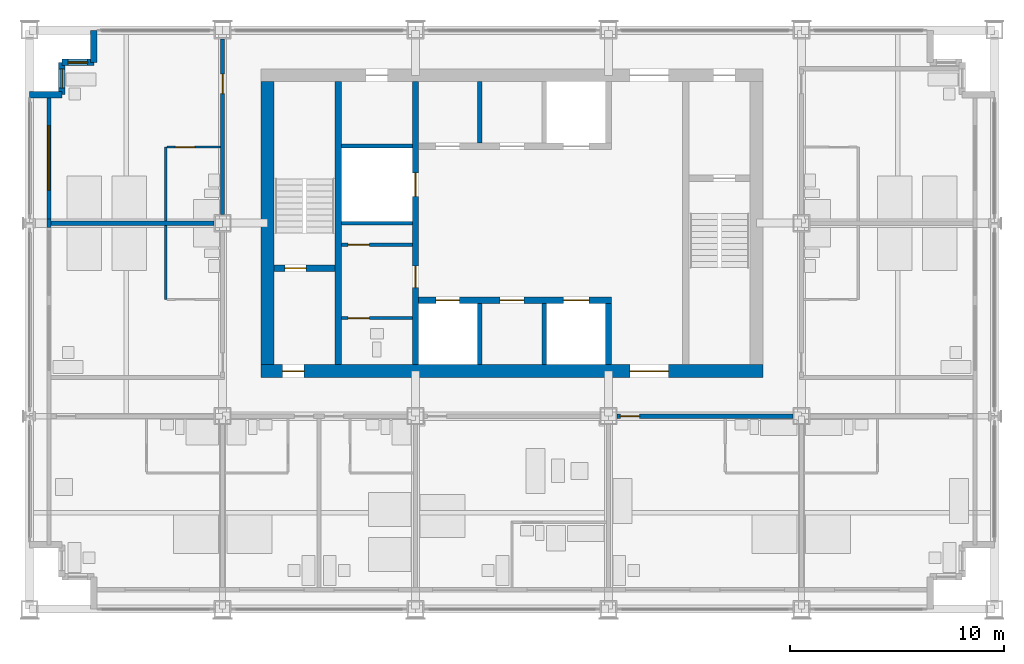
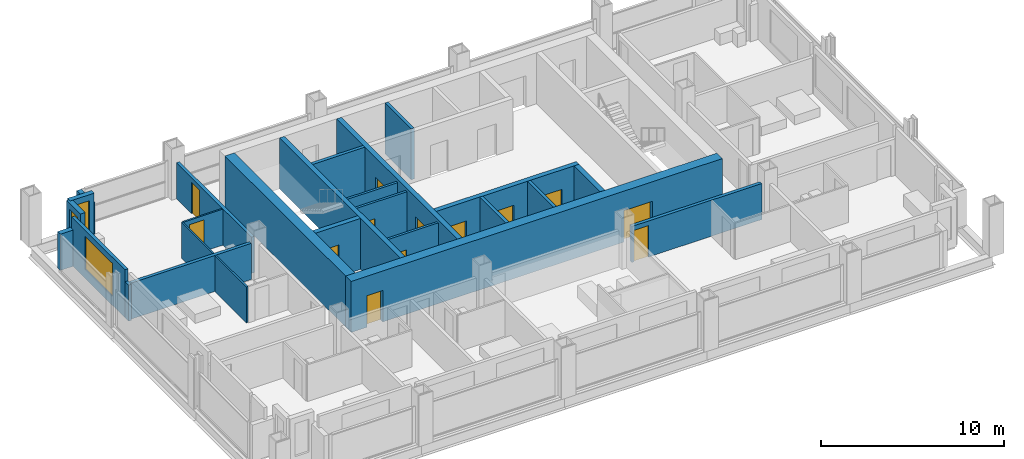
# One storey, part 8 of 13: 26 walls, 13 doors, 3 windows, 16 openings.
"""IFC4 building model written with IfcOpenShell, lengths in metres."""

from ifc_helpers import new_model, si_unit, direction, frame, frame_2d, origin, place, context, subcontext, project, spatial, rectangle, extrude, material, layer, layer_set, type_object, element, fill, save


model = new_model("IFC4")

# Units and contexts
model_context = context("Model", 3, precision=1e-05, world=origin(), true_north=direction((0.0, 1.0)))
body_context = subcontext(model_context, "Body", "Model", "MODEL_VIEW")
ifc_project = project(units=[si_unit("LENGTHUNIT", "METRE"), si_unit("AREAUNIT", "SQUARE_METRE"), si_unit("VOLUMEUNIT", "CUBIC_METRE"), si_unit("PLANEANGLEUNIT", "RADIAN"), si_unit("MASSUNIT", "GRAM", prefix="KILO")], contexts=[model_context])

# Site, building, storey
site_placement = place(None, origin())
site = spatial("IfcSite", under=ifc_project, at=site_placement, CompositionType="ELEMENT")
building_placement = place(site_placement, origin())
building = spatial("IfcBuilding", under=site, at=building_placement, Name="Loomwork Tower", CompositionType="ELEMENT")
storey_placement = place(building_placement, frame((0.0, 0.0, 187.60009765625)))
storey = spatial("IfcBuildingStorey", under=building, at=storey_placement, Name="L51", CompositionType="ELEMENT", Elevation=187.60009765625)

# Wall
ifc_material_1 = material(Name="Concrete 14000 psi (97 MPa)", Category="concrete")
ifc_layer_1 = layer(ifc_material_1, 0.300048828125)
ifc_layer_set_1 = layer_set([ifc_layer_1], Name="Core shear wall 300")
wall_type_1 = type_object("IfcWallType", Name="Core shear wall 300", PredefinedType="SHEAR", material=ifc_layer_set_1)
wall_1_placement = place(storey_placement, frame((14.39990234375, 11.39990234375, 0.0), z_axis=(0.0, 0.0, 1.0), x_axis=(0.0, 1.0, 0.0)))
element("IfcWall", 1, at=wall_1_placement, inside=storey, type_object=wall_type_1, Name="Stair A east wall L51", PredefinedType="SHEAR", context=body_context, shape_type="SweptSolid", body=[
    extrude(rectangle(XDim=13.2001953125, YDim=0.300048828125, at=frame_2d((6.60009765625, 0.0))), origin(), (0.0, 0.0, 1.0), 3.39990234375),
])

# Wall, opening, door
wall_2_placement = place(storey_placement, frame((11.39990234375, 15.89990234375, 0.0), z_axis=(0.0, 0.0, 1.0), x_axis=(1.0, 0.0, 0.0)))
wall_2 = element("IfcWall", 2, at=wall_2_placement, inside=storey, type_object=wall_type_1, Name="Stair A south wall L51", PredefinedType="SHEAR", context=body_context, shape_type="SweptSolid", body=[
    extrude(rectangle(XDim=2.85009765625, YDim=0.300048828125, at=frame_2d((1.425048828125, 0.0))), origin(), (0.0, 0.0, 1.0), 3.39990234375),
])
opening_1_placement = place(wall_2_placement, frame((0.5, 0.0, 0.0)))
opening_1 = element("IfcOpeningElement", 3, at=opening_1_placement, cuts=wall_2, Name="Opening D4", PredefinedType="OPENING", context=body_context, shape_type="SweptSolid", body=[
    extrude(rectangle(XDim=1.0, YDim=2.10009765625, at=frame_2d((0.5, 1.050048828125))), frame((0.0, 0.159912109375, 0.0), z_axis=(0.0, -1.0, 0.0), x_axis=(1.0, 0.0, 0.0)), (0.0, 0.0, 1.0), 0.320068359375),
])
ifc_material_2 = material(Name="Hollow metal door and frame")
door_type_1 = type_object("IfcDoorType", Name="Stair door 1000", OperationType="SINGLE_SWING_RIGHT", PredefinedType="DOOR", material=ifc_material_2)
door_1_placement = place(opening_1_placement, origin())
door_1 = element("IfcDoor", 4, at=door_1_placement, inside=storey, type_object=door_type_1, Name="Stair A door", OperationType="SINGLE_SWING_LEFT", OverallHeight=2.10009765625, OverallWidth=1.0, PredefinedType="DOOR", context=body_context, shape_type="SweptSolid", body=[
    extrude(rectangle(XDim=1.0, YDim=2.10009765625, at=frame_2d((0.5, 1.050048828125))), frame((0.0, 0.02490234375, 0.0), z_axis=(0.0, -1.0, 0.0), x_axis=(1.0, 0.0, 0.0)), (0.0, 0.0, 1.0), 0.050048828125),
])
fill(opening_1, door_1)

# Wall, openings, doors
wall_3_placement = place(storey_placement, frame((18.0, 11.39990234375, 0.0), z_axis=(0.0, 0.0, 1.0), x_axis=(0.0, 1.0, 0.0)))
wall_3 = element("IfcWall", 5, at=wall_3_placement, inside=storey, type_object=wall_type_1, Name="Lobby west wall L51", PredefinedType="SHEAR", context=body_context, shape_type="SweptSolid", body=[
    extrude(rectangle(XDim=13.2001953125, YDim=0.300048828125, at=frame_2d((6.60009765625, 0.0))), origin(), (0.0, 0.0, 1.0), 3.39990234375),
])
opening_2_placement = place(wall_3_placement, frame((3.60009765625, 0.0, 0.0)))
opening_2 = element("IfcOpeningElement", 6, at=opening_2_placement, cuts=wall_3, Name="Opening D5", PredefinedType="OPENING", context=body_context, shape_type="SweptSolid", body=[
    extrude(rectangle(XDim=1.0, YDim=2.10009765625, at=frame_2d((0.5, 1.050048828125))), frame((0.0, 0.159912109375, 0.0), z_axis=(0.0, -1.0, 0.0), x_axis=(1.0, 0.0, 0.0)), (0.0, 0.0, 1.0), 0.320068359375),
])
opening_3_placement = place(wall_3_placement, frame((7.85009765625, 0.0, 0.0)))
opening_3 = element("IfcOpeningElement", 7, at=opening_3_placement, cuts=wall_3, Name="Opening LD1", PredefinedType="OPENING", context=body_context, shape_type="SweptSolid", body=[
    extrude(rectangle(XDim=1.10009765625, YDim=2.10009765625, at=frame_2d((0.550048828125, 1.050048828125))), frame((0.0, 0.159912109375, 0.0), z_axis=(0.0, -1.0, 0.0), x_axis=(1.0, 0.0, 0.0)), (0.0, 0.0, 1.0), 0.320068359375),
])
ifc_material_3 = material(Name="Hollow metal door and frame")
door_type_2 = type_object("IfcDoorType", Name="Lift landing door 1100", OperationType="SLIDING_TO_LEFT", PredefinedType="DOOR", material=ifc_material_3)
door_2_placement = place(opening_3_placement, origin())
door_2 = element("IfcDoor", 8, at=door_2_placement, inside=storey, type_object=door_type_2, Name="Lift landing door LC2", OperationType="SLIDING_TO_LEFT", OverallHeight=2.10009765625, OverallWidth=1.10009765625, PredefinedType="DOOR", context=body_context, shape_type="SweptSolid", body=[
    extrude(rectangle(XDim=1.10009765625, YDim=2.10009765625, at=frame_2d((0.550048828125, 1.050048828125))), frame((0.0, 0.02490234375, 0.0), z_axis=(0.0, -1.0, 0.0), x_axis=(1.0, 0.0, 0.0)), (0.0, 0.0, 1.0), 0.050048828125),
])
fill(opening_3, door_2)
ifc_material_4 = material(Name="Hollow metal door and frame")
door_type_3 = type_object("IfcDoorType", Name="Service door 1000", OperationType="SINGLE_SWING_LEFT", PredefinedType="DOOR", material=ifc_material_4)
door_3_placement = place(opening_2_placement, origin())
door_3 = element("IfcDoor", 9, at=door_3_placement, inside=storey, type_object=door_type_3, Name="Back-of-house door south", OperationType="SINGLE_SWING_LEFT", OverallHeight=2.10009765625, OverallWidth=1.0, PredefinedType="DOOR", context=body_context, shape_type="SweptSolid", body=[
    extrude(rectangle(XDim=1.0, YDim=2.10009765625, at=frame_2d((0.5, 1.050048828125))), frame((0.0, 0.02490234375, 0.0), z_axis=(0.0, -1.0, 0.0), x_axis=(1.0, 0.0, 0.0)), (0.0, 0.0, 1.0), 0.050048828125),
])
fill(opening_2, door_3)

wall_4_placement = place(storey_placement, frame((18.14990234375, 14.39990234375, 0.0), z_axis=(0.0, 0.0, 1.0), x_axis=(1.0, 0.0, 0.0)))
wall_4 = element("IfcWall", 10, at=wall_4_placement, inside=storey, type_object=wall_type_1, Name="Lift front wall south L51", PredefinedType="SHEAR", context=body_context, shape_type="SweptSolid", body=[
    extrude(rectangle(XDim=9.0, YDim=0.300048828125, at=frame_2d((4.5, 0.0))), origin(), (0.0, 0.0, 1.0), 3.39990234375),
])
opening_4_placement = place(wall_4_placement, frame((0.800048828125, 0.0, 0.0)))
opening_4 = element("IfcOpeningElement", 11, at=opening_4_placement, cuts=wall_4, Name="Opening LD1", PredefinedType="OPENING", context=body_context, shape_type="SweptSolid", body=[
    extrude(rectangle(XDim=1.10009765625, YDim=2.10009765625, at=frame_2d((0.550048828125, 1.050048828125))), frame((0.0, 0.159912109375, 0.0), z_axis=(0.0, -1.0, 0.0), x_axis=(1.0, 0.0, 0.0)), (0.0, 0.0, 1.0), 0.320068359375),
])
opening_5_placement = place(wall_4_placement, frame((6.75, 0.0, 0.0)))
opening_5 = element("IfcOpeningElement", 12, at=opening_5_placement, cuts=wall_4, Name="Opening LD2", PredefinedType="OPENING", context=body_context, shape_type="SweptSolid", body=[
    extrude(rectangle(XDim=1.199951171875, YDim=2.10009765625, at=frame_2d((0.60009765625, 1.050048828125))), frame((0.0, 0.159912109375, 0.0), z_axis=(0.0, -1.0, 0.0), x_axis=(1.0, 0.0, 0.0)), (0.0, 0.0, 1.0), 0.320068359375),
])
opening_6_placement = place(wall_4_placement, frame((3.800048828125, 0.0, 0.0)))
opening_6 = element("IfcOpeningElement", 13, at=opening_6_placement, cuts=wall_4, Name="Opening D17", PredefinedType="OPENING", context=body_context, shape_type="SweptSolid", body=[
    extrude(rectangle(XDim=1.10009765625, YDim=2.10009765625, at=frame_2d((0.550048828125, 1.050048828125))), frame((0.0, 0.159912109375, 0.0), z_axis=(0.0, -1.0, 0.0), x_axis=(1.0, 0.0, 0.0)), (0.0, 0.0, 1.0), 0.320068359375),
])
door_4_placement = place(opening_4_placement, origin())
door_4 = element("IfcDoor", 14, at=door_4_placement, inside=storey, type_object=door_type_2, Name="Lift landing door LC1", OperationType="SLIDING_TO_LEFT", OverallHeight=2.10009765625, OverallWidth=1.10009765625, PredefinedType="DOOR", context=body_context, shape_type="SweptSolid", body=[
    extrude(rectangle(XDim=1.10009765625, YDim=2.10009765625, at=frame_2d((0.550048828125, 1.050048828125))), frame((0.0, 0.02490234375, 0.0), z_axis=(0.0, -1.0, 0.0), x_axis=(1.0, 0.0, 0.0)), (0.0, 0.0, 1.0), 0.050048828125),
])
fill(opening_4, door_4)
ifc_material_5 = material(Name="Hollow metal door and frame")
door_type_4 = type_object("IfcDoorType", Name="Lift landing door 1200", OperationType="SLIDING_TO_LEFT", PredefinedType="DOOR", material=ifc_material_5)
door_5_placement = place(opening_5_placement, origin())
door_5 = element("IfcDoor", 15, at=door_5_placement, inside=storey, type_object=door_type_4, Name="Lift landing door LF1", OperationType="SLIDING_TO_LEFT", OverallHeight=2.10009765625, OverallWidth=1.199951171875, PredefinedType="DOOR", context=body_context, shape_type="SweptSolid", body=[
    extrude(rectangle(XDim=1.199951171875, YDim=2.10009765625, at=frame_2d((0.60009765625, 1.050048828125))), frame((0.0, 0.02490234375, 0.0), z_axis=(0.0, -1.0, 0.0), x_axis=(1.0, 0.0, 0.0)), (0.0, 0.0, 1.0), 0.050048828125),
])
fill(opening_5, door_5)
ifc_material_6 = material(Name="Hollow metal door and frame")
door_type_5 = type_object("IfcDoorType", Name="Service room door 1100", OperationType="SINGLE_SWING_LEFT", PredefinedType="DOOR", material=ifc_material_6)
door_6_placement = place(opening_6_placement, frame((1.10009765625, 0.0, 0.0), z_axis=(0.0, 0.0, 1.0), x_axis=(-1.0, 0.0, 0.0)))
door_6 = element("IfcDoor", 16, at=door_6_placement, inside=storey, type_object=door_type_5, Name="IT and communications room door L51", OperationType="SINGLE_SWING_RIGHT", OverallHeight=2.10009765625, OverallWidth=1.10009765625, PredefinedType="DOOR", context=body_context, shape_type="SweptSolid", body=[
    extrude(rectangle(XDim=1.10009765625, YDim=2.10009765625, at=frame_2d((0.550048828125, 1.050048828125))), frame((0.0, 0.02490234375, 0.0), z_axis=(0.0, -1.0, 0.0), x_axis=(1.0, 0.0, 0.0)), (0.0, 0.0, 1.0), 0.050048828125),
])
fill(opening_6, door_6)

# Wall
wall_5_placement = place(storey_placement, frame((27.0, 11.39990234375, 0.0), z_axis=(0.0, 0.0, 1.0), x_axis=(0.0, 1.0, 0.0)))
element("IfcWall", 17, at=wall_5_placement, inside=storey, type_object=wall_type_1, Name="Lift shaft end wall south L51", PredefinedType="SHEAR", context=body_context, shape_type="SweptSolid", body=[
    extrude(rectangle(XDim=2.85009765625, YDim=0.300048828125, at=frame_2d((1.425048828125, 0.0))), origin(), (0.0, 0.0, 1.0), 3.39990234375),
])

# Wall, openings, doors
ifc_material_7 = material(Name="Concrete 14000 psi (97 MPa)", Category="concrete")
ifc_layer_2 = layer(ifc_material_7, 0.60009765625)
ifc_layer_set_2 = layer_set([ifc_layer_2], Name="Core shear wall 600")
wall_type_2 = type_object("IfcWallType", Name="Core shear wall 600", PredefinedType="SHEAR", material=ifc_layer_set_2)
wall_6_placement = place(storey_placement, frame((10.800048828125, 11.10009765625, 0.0), z_axis=(0.0, 0.0, 1.0), x_axis=(1.0, 0.0, 0.0)))
wall_6 = element("IfcWall", 18, at=wall_6_placement, inside=storey, type_object=wall_type_2, Name="Core wall south L51", PredefinedType="SHEAR", context=body_context, shape_type="SweptSolid", body=[
    extrude(rectangle(XDim=23.39990234375, YDim=0.60009765625, at=frame_2d((11.699951171875, 0.0))), origin(), (0.0, 0.0, 1.0), 3.39990234375),
])
opening_7_placement = place(wall_6_placement, frame((1.0, 0.0, 0.0)))
opening_7 = element("IfcOpeningElement", 19, at=opening_7_placement, cuts=wall_6, Name="Opening D4", PredefinedType="OPENING", context=body_context, shape_type="SweptSolid", body=[
    extrude(rectangle(XDim=1.0, YDim=2.10009765625, at=frame_2d((0.5, 1.050048828125))), frame((0.0, 0.31005859375, 0.0), z_axis=(0.0, -1.0, 0.0), x_axis=(1.0, 0.0, 0.0)), (0.0, 0.0, 1.0), 0.6201171875),
])
opening_8_placement = place(wall_6_placement, frame((17.199951171875, 0.0, 0.0)))
opening_8 = element("IfcOpeningElement", 20, at=opening_8_placement, cuts=wall_6, Name="Opening D6", PredefinedType="OPENING", context=body_context, shape_type="SweptSolid", body=[
    extrude(rectangle(XDim=1.800048828125, YDim=2.10009765625, at=frame_2d((0.89990234375, 1.050048828125))), frame((0.0, 0.31005859375, 0.0), z_axis=(0.0, -1.0, 0.0), x_axis=(1.0, 0.0, 0.0)), (0.0, 0.0, 1.0), 0.6201171875),
])
ifc_material_8 = material(Name="Hollow metal door and frame")
door_type_6 = type_object("IfcDoorType", Name="Lobby passage double door 1800", OperationType="DOUBLE_DOOR_SINGLE_SWING", PredefinedType="DOOR", material=ifc_material_8)
door_7_placement = place(opening_8_placement, origin())
door_7 = element("IfcDoor", 21, at=door_7_placement, inside=storey, type_object=door_type_6, Name="Lobby passage door south", OperationType="DOUBLE_DOOR_SINGLE_SWING", OverallHeight=2.10009765625, OverallWidth=1.800048828125, PredefinedType="DOOR", context=body_context, shape_type="SweptSolid", body=[
    extrude(rectangle(XDim=1.800048828125, YDim=2.10009765625, at=frame_2d((0.89990234375, 1.050048828125))), frame((0.0, 0.02490234375, 0.0), z_axis=(0.0, -1.0, 0.0), x_axis=(1.0, 0.0, 0.0)), (0.0, 0.0, 1.0), 0.050048828125),
])
fill(opening_8, door_7)
door_8_placement = place(opening_7_placement, origin())
door_8 = element("IfcDoor", 22, at=door_8_placement, inside=storey, type_object=door_type_1, Name="Stair A vestibule door", OperationType="SINGLE_SWING_LEFT", OverallHeight=2.10009765625, OverallWidth=1.0, PredefinedType="DOOR", context=body_context, shape_type="SweptSolid", body=[
    extrude(rectangle(XDim=1.0, YDim=2.10009765625, at=frame_2d((0.5, 1.050048828125))), frame((0.0, 0.02490234375, 0.0), z_axis=(0.0, -1.0, 0.0), x_axis=(1.0, 0.0, 0.0)), (0.0, 0.0, 1.0), 0.050048828125),
])
fill(opening_7, door_8)

# Wall
wall_7_placement = place(storey_placement, frame((11.10009765625, 11.39990234375, 0.0), z_axis=(0.0, 0.0, 1.0), x_axis=(0.0, 1.0, 0.0)))
element("IfcWall", 23, at=wall_7_placement, inside=storey, type_object=wall_type_2, Name="Core wall west L51", PredefinedType="SHEAR", context=body_context, shape_type="SweptSolid", body=[
    extrude(rectangle(XDim=13.2001953125, YDim=0.60009765625, at=frame_2d((6.60009765625, 0.0))), origin(), (0.0, 0.0, 1.0), 3.39990234375),
])

# Wall, opening, door
ifc_material_9 = material(Name="Gypsum board on steel studs, one-hour", Category="steel")
ifc_layer_3 = layer(ifc_material_9, 0.199951171875)
ifc_layer_set_3 = layer_set([ifc_layer_3], Name="Corridor wall 200")
wall_type_3 = type_object("IfcWallType", Name="Corridor wall 200", PredefinedType="PARTITIONING", material=ifc_layer_set_3)
wall_8_placement = place(storey_placement, frame((27.39990234375, 9.0, 0.0), z_axis=(0.0, 0.0, 1.0), x_axis=(1.0, 0.0, 0.0)))
wall_8 = element("IfcWall", 24, at=wall_8_placement, inside=storey, type_object=wall_type_3, Name="South corridor wall 4", PredefinedType="PARTITIONING", context=body_context, shape_type="SweptSolid", body=[
    extrude(rectangle(XDim=8.2001953125, YDim=0.199951171875, at=frame_2d((4.10009765625, 0.0))), origin(), (0.0, 0.0, 1.0), 2.40478515625),
])
opening_9_placement = place(wall_8_placement, frame((0.14990234375, 0.0, 0.0)))
opening_9 = element("IfcOpeningElement", 25, at=opening_9_placement, cuts=wall_8, Name="Opening D1", PredefinedType="OPENING", context=body_context, shape_type="SweptSolid", body=[
    extrude(rectangle(XDim=0.89990234375, YDim=2.10009765625, at=frame_2d((0.449951171875, 1.050048828125))), frame((0.0, 0.10986328125, 0.0), z_axis=(0.0, -1.0, 0.0), x_axis=(1.0, 0.0, 0.0)), (0.0, 0.0, 1.0), 0.219970703125),
])
ifc_material_10 = material(Name="Hollow metal door and frame")
door_type_7 = type_object("IfcDoorType", Name="Guest room entry door 900", OperationType="SINGLE_SWING_LEFT", PredefinedType="DOOR", material=ifc_material_10)
door_9_placement = place(opening_9_placement, frame((0.89990234375, 0.0, 0.0), z_axis=(0.0, 0.0, 1.0), x_axis=(-1.0, 0.0, 0.0)))
door_9 = element("IfcDoor", 26, at=door_9_placement, inside=storey, type_object=door_type_7, Name="Guest room entry door L51 5", OperationType="SINGLE_SWING_RIGHT", OverallHeight=2.10009765625, OverallWidth=0.89990234375, PredefinedType="DOOR", context=body_context, shape_type="SweptSolid", body=[
    extrude(rectangle(XDim=0.89990234375, YDim=2.10009765625, at=frame_2d((0.449951171875, 1.050048828125))), frame((0.0, 0.02490234375, 0.0), z_axis=(0.0, -1.0, 0.0), x_axis=(1.0, 0.0, 0.0)), (0.0, 0.0, 1.0), 0.050048828125),
])
fill(opening_9, door_9)

wall_9_placement = place(storey_placement, frame((9.0, 18.39990234375, 0.0), z_axis=(0.0, 0.0, 1.0), x_axis=(0.0, 1.0, 0.0)))
wall_9 = element("IfcWall", 27, at=wall_9_placement, inside=storey, type_object=wall_type_3, Name="West corridor wall 2", PredefinedType="PARTITIONING", context=body_context, shape_type="SweptSolid", body=[
    extrude(rectangle(XDim=8.2001953125, YDim=0.199951171875, at=frame_2d((4.10009765625, 0.0))), origin(), (0.0, 0.0, 1.0), 2.40478515625),
])
opening_10_placement = place(wall_9_placement, frame((5.64990234375, 0.0, 0.0)))
opening_10 = element("IfcOpeningElement", 28, at=opening_10_placement, cuts=wall_9, Name="Opening D1", PredefinedType="OPENING", context=body_context, shape_type="SweptSolid", body=[
    extrude(rectangle(XDim=0.89990234375, YDim=2.10009765625, at=frame_2d((0.449951171875, 1.050048828125))), frame((0.0, 0.10986328125, 0.0), z_axis=(0.0, -1.0, 0.0), x_axis=(1.0, 0.0, 0.0)), (0.0, 0.0, 1.0), 0.219970703125),
])
door_10_placement = place(opening_10_placement, origin())
door_10 = element("IfcDoor", 29, at=door_10_placement, inside=storey, type_object=door_type_7, Name="Guest room entry door L51 8", OperationType="SINGLE_SWING_RIGHT", OverallHeight=2.10009765625, OverallWidth=0.89990234375, PredefinedType="DOOR", context=body_context, shape_type="SweptSolid", body=[
    extrude(rectangle(XDim=0.89990234375, YDim=2.10009765625, at=frame_2d((0.449951171875, 1.050048828125))), frame((0.0, 0.02490234375, 0.0), z_axis=(0.0, -1.0, 0.0), x_axis=(1.0, 0.0, 0.0)), (0.0, 0.0, 1.0), 0.050048828125),
])
fill(opening_10, door_10)

# Walls
ifc_material_11 = material(Name="Cement board on steel studs", Category="steel")
ifc_layer_4 = layer(ifc_material_11, 0.10009765625)
ifc_layer_set_4 = layer_set([ifc_layer_4], Name="En-suite partition 100")
wall_type_4 = type_object("IfcWallType", Name="En-suite partition 100", PredefinedType="PARTITIONING", material=ifc_layer_set_4)
for number, where, z_axis, x_axis, name in (
    (30, (6.35009765625, 14.449951171875, 0.0), (0.0, 0.0, 1.0), (0.0, 1.0, 0.0), "En-suite wall L51 room 7"),
    (31, (6.35009765625, 18.10009765625, 0.0), (0.0, 0.0, 1.0), (0.0, 1.0, 0.0), "En-suite wall L51 room 8"),
):
    element("IfcWall", number, at=place(storey_placement, frame(where, z_axis=z_axis, x_axis=x_axis)), inside=storey, type_object=wall_type_4, Name=name, PredefinedType="PARTITIONING", context=body_context, shape_type="SweptSolid", body=[
        extrude(rectangle(XDim=3.449951171875, YDim=0.10009765625, at=frame_2d((1.72509765625, 0.0))), origin(), (0.0, 0.0, 1.0), 2.40380859375),
    ])

# Wall, opening, door
wall_10_placement = place(storey_placement, frame((8.89990234375, 21.550048828125, 0.0), z_axis=(0.0, 0.0, 1.0), x_axis=(-1.0, 0.0, 0.0)))
wall_10 = element("IfcWall", 32, at=wall_10_placement, inside=storey, type_object=wall_type_4, Name="En-suite side wall L51 room 8", PredefinedType="PARTITIONING", context=body_context, shape_type="SweptSolid", body=[
    extrude(rectangle(XDim=2.5, YDim=0.10009765625, at=frame_2d((1.25, 0.0))), origin(), (0.0, 0.0, 1.0), 2.40380859375),
])
opening_11_placement = place(wall_10_placement, frame((1.199951171875, 0.0, 0.0)))
opening_11 = element("IfcOpeningElement", 33, at=opening_11_placement, cuts=wall_10, Name="Opening D2", PredefinedType="OPENING", context=body_context, shape_type="SweptSolid", body=[
    extrude(rectangle(XDim=0.89990234375, YDim=2.10009765625, at=frame_2d((0.449951171875, 1.050048828125))), frame((0.0, 0.06005859375, 0.0), z_axis=(0.0, -1.0, 0.0), x_axis=(1.0, 0.0, 0.0)), (0.0, 0.0, 1.0), 0.1201171875),
])
ifc_material_12 = material(Name="Hollow metal door and frame")
door_type_8 = type_object("IfcDoorType", Name="En-suite door 900", OperationType="SINGLE_SWING_LEFT", PredefinedType="DOOR", material=ifc_material_12)
door_11_placement = place(opening_11_placement, origin())
door_11 = element("IfcDoor", 34, at=door_11_placement, inside=storey, type_object=door_type_8, Name="En-suite door room 8", OperationType="SINGLE_SWING_RIGHT", OverallHeight=2.10009765625, OverallWidth=0.89990234375, PredefinedType="DOOR", context=body_context, shape_type="SweptSolid", body=[
    extrude(rectangle(XDim=0.89990234375, YDim=2.10009765625, at=frame_2d((0.449951171875, 1.050048828125))), frame((0.0, 0.02490234375, 0.0), z_axis=(0.0, -1.0, 0.0), x_axis=(1.0, 0.0, 0.0)), (0.0, 0.0, 1.0), 0.050048828125),
])
fill(opening_11, door_11)

# Walls
ifc_material_13 = material(Name="Gypsum board on steel studs, acoustic", Category="steel")
ifc_layer_5 = layer(ifc_material_13, 0.199951171875)
ifc_layer_set_5 = layer_set([ifc_layer_5], Name="Guest room party wall 200")
wall_type_5 = type_object("IfcWallType", Name="Guest room party wall 200", PredefinedType="PARTITIONING", material=ifc_layer_set_5)
wall_11_placement = place(storey_placement, frame((8.60009765625, 18.0, 0.0), z_axis=(0.0, 0.0, 1.0), x_axis=(-1.0, 0.0, 0.0)))
element("IfcWall", 35, at=wall_11_placement, inside=storey, type_object=wall_type_5, Name="Guest room party wall W 18", PredefinedType="PARTITIONING", context=body_context, shape_type="SweptSolid", body=[
    extrude(rectangle(XDim=7.60009765625, YDim=0.199951171875, at=frame_2d((3.800048828125, 0.0))), origin(), (0.0, 0.0, 1.0), 2.40478515625),
])
ifc_material_14 = material(Name="Insulated steel stud wall with gypsum lining", Category="steel")
ifc_layer_6 = layer(ifc_material_14, 0.199951171875)
ifc_layer_set_6 = layer_set([ifc_layer_6], Name="Inner skin wall 200")
wall_type_6 = type_object("IfcWallType", Name="Inner skin wall 200", PredefinedType="SOLIDWALL", material=ifc_layer_set_6)
wall_12_placement = place(storey_placement, frame((0.89990234375, 17.80615234375, 0.0), z_axis=(0.0, 0.0, 1.0), x_axis=(0.0, 1.0, 0.0)))
element("IfcWall", 36, at=wall_12_placement, inside=storey, type_object=wall_type_6, Name="Inner skin wall W bay 6", PredefinedType="SOLIDWALL", context=body_context, shape_type="SweptSolid", body=[
    extrude(rectangle(XDim=0.3876953125, YDim=0.199951171875, at=frame_2d((0.19384765625, 0.0))), origin(), (0.0, 0.0, 1.0), 2.40380859375),
])

# Wall, opening, window
wall_13_placement = place(storey_placement, frame((0.89990234375, 18.19384765625, 0.0), z_axis=(0.0, 0.0, 1.0), x_axis=(0.0, 1.0, 0.0)))
wall_13 = element("IfcWall", 37, at=wall_13_placement, inside=storey, type_object=wall_type_6, Name="Inner skin wall W bay 7", PredefinedType="SOLIDWALL", context=body_context, shape_type="SweptSolid", body=[
    extrude(rectangle(XDim=5.80615234375, YDim=0.199951171875, at=frame_2d((2.903076171875, 0.0))), origin(), (0.0, 0.0, 1.0), 3.199951171875),
])
opening_12_placement = place(wall_13_placement, frame((1.356201171875, 0.0, 0.60009765625)))
opening_12 = element("IfcOpeningElement", 38, at=opening_12_placement, cuts=wall_13, Name="Opening CH1", PredefinedType="OPENING", context=body_context, shape_type="SweptSolid", body=[
    extrude(rectangle(XDim=3.0, YDim=2.199951171875, at=frame_2d((1.5, 1.10009765625))), frame((0.0, 0.10986328125, 0.0), z_axis=(0.0, -1.0, 0.0), x_axis=(1.0, 0.0, 0.0)), (0.0, 0.0, 1.0), 0.219970703125),
])
ifc_material_15 = material(Name="Aluminium frame with clear insulated glass", Category="aluminium")
window_type_1 = type_object("IfcWindowType", Name="Chicago window 3000", PartitioningType="TRIPLE_PANEL_VERTICAL", PredefinedType="WINDOW", material=ifc_material_15)
window_1_placement = place(opening_12_placement, origin())
window_1 = element("IfcWindow", 39, at=window_1_placement, inside=storey, type_object=window_type_1, Name="Chicago window L51 bay 7", OverallHeight=2.199951171875, OverallWidth=3.0, PartitioningType="TRIPLE_PANEL_VERTICAL", PredefinedType="WINDOW", context=body_context, shape_type="SweptSolid", body=[
    extrude(rectangle(XDim=3.0, YDim=2.199951171875, at=frame_2d((1.5, 1.10009765625))), frame((0.0, 0.030029296875, 0.0), z_axis=(0.0, -1.0, 0.0), x_axis=(1.0, 0.0, 0.0)), (0.0, 0.0, 1.0), 0.06005859375),
])
fill(opening_12, window_1)

# Walls
ifc_material_16 = material(Name="Concrete 14000 psi (97 MPa)", Category="concrete")
ifc_layer_7 = layer(ifc_material_16, 0.199951171875)
ifc_layer_set_7 = layer_set([ifc_layer_7], Name="Lift shaft wall 200")
wall_type_7 = type_object("IfcWallType", Name="Lift shaft wall 200", PredefinedType="SHEAR", material=ifc_layer_set_7)
for number, where, z_axis, x_axis, name in (
    (40, (21.0, 11.39990234375, 0.0), (0.0, 0.0, 1.0), (0.0, 1.0, 0.0), "Lift shaft separation wall south 1 L51"),
    (41, (24.0, 11.39990234375, 0.0), (0.0, 0.0, 1.0), (0.0, 1.0, 0.0), "Lift shaft separation wall south 2 L51"),
    (42, (21.0, 21.75, 0.0), (0.0, 0.0, 1.0), (0.0, 1.0, 0.0), "Lift shaft separation wall north 1 L51"),
):
    element("IfcWall", number, at=place(storey_placement, frame(where, z_axis=z_axis, x_axis=x_axis)), inside=storey, type_object=wall_type_7, Name=name, PredefinedType="SHEAR", context=body_context, shape_type="SweptSolid", body=[
        extrude(rectangle(XDim=2.85009765625, YDim=0.199951171875, at=frame_2d((1.425048828125, 0.0))), origin(), (0.0, 0.0, 1.0), 3.39990234375),
    ])
wall_14_placement = place(storey_placement, frame((14.550048828125, 21.60009765625, 0.0), z_axis=(0.0, 0.0, 1.0), x_axis=(1.0, 0.0, 0.0)))
element("IfcWall", 43, at=wall_14_placement, inside=storey, type_object=wall_type_7, Name="Lift shaft wall west north L51", PredefinedType="SHEAR", context=body_context, shape_type="SweptSolid", body=[
    extrude(rectangle(XDim=3.300048828125, YDim=0.199951171875, at=frame_2d((1.64990234375, 0.0))), origin(), (0.0, 0.0, 1.0), 3.39990234375),
])
ifc_material_17 = material(Name="Limestone on concrete masonry", Category="masonry")
ifc_layer_8 = layer(ifc_material_17, 0.300048828125)
ifc_layer_set_8 = layer_set([ifc_layer_8], Name="Limestone corner wall 300")
wall_type_8 = type_object("IfcWallType", Name="Limestone corner wall 300", PredefinedType="SOLIDWALL", material=ifc_layer_set_8)
wall_15_placement = place(storey_placement, frame((3.0, 27.0, 0.0), z_axis=(0.0, 0.0, 1.0), x_axis=(0.0, -1.0, 0.0)))
element("IfcWall", 44, at=wall_15_placement, inside=storey, type_object=wall_type_8, Name="Stone corner wall NW 1", PredefinedType="SOLIDWALL", context=body_context, shape_type="SweptSolid", body=[
    extrude(rectangle(XDim=1.5, YDim=0.300048828125, at=frame_2d((0.75, 0.0))), origin(), (0.0, 0.0, 1.0), 2.419921875),
])

# Wall, opening, window
wall_16_placement = place(storey_placement, frame((3.0, 25.5, 0.0), z_axis=(0.0, 0.0, 1.0), x_axis=(-1.0, 0.0, 0.0)))
wall_16 = element("IfcWall", 45, at=wall_16_placement, inside=storey, type_object=wall_type_8, Name="Stone corner wall NW 2", PredefinedType="SOLIDWALL", context=body_context, shape_type="SweptSolid", body=[
    extrude(rectangle(XDim=1.5, YDim=0.300048828125, at=frame_2d((0.75, 0.0))), origin(), (0.0, 0.0, 1.0), 3.199951171875),
])
opening_13_placement = place(wall_16_placement, frame((0.300048828125, 0.0, 0.60009765625)))
opening_13 = element("IfcOpeningElement", 46, at=opening_13_placement, cuts=wall_16, Name="Opening CH2", PredefinedType="OPENING", context=body_context, shape_type="SweptSolid", body=[
    extrude(rectangle(XDim=0.89990234375, YDim=2.199951171875, at=frame_2d((0.449951171875, 1.10009765625))), frame((0.0, 0.159912109375, 0.0), z_axis=(0.0, -1.0, 0.0), x_axis=(1.0, 0.0, 0.0)), (0.0, 0.0, 1.0), 0.320068359375),
])
ifc_material_18 = material(Name="Aluminium frame with clear insulated glass", Category="aluminium")
window_type_2 = type_object("IfcWindowType", Name="Corner window 900", PartitioningType="SINGLE_PANEL", PredefinedType="WINDOW", material=ifc_material_18)
window_2_placement = place(opening_13_placement, origin())
window_2 = element("IfcWindow", 47, at=window_2_placement, inside=storey, type_object=window_type_2, Name="Corner window NW", OverallHeight=2.199951171875, OverallWidth=0.89990234375, PartitioningType="SINGLE_PANEL", PredefinedType="WINDOW", context=body_context, shape_type="SweptSolid", body=[
    extrude(rectangle(XDim=0.89990234375, YDim=2.199951171875, at=frame_2d((0.449951171875, 1.10009765625))), frame((0.0, 0.030029296875, 0.0), z_axis=(0.0, -1.0, 0.0), x_axis=(1.0, 0.0, 0.0)), (0.0, 0.0, 1.0), 0.06005859375),
])
fill(opening_13, window_2)

wall_17_placement = place(storey_placement, frame((1.5, 25.5, 0.0), z_axis=(0.0, 0.0, 1.0), x_axis=(0.0, -1.0, 0.0)))
wall_17 = element("IfcWall", 48, at=wall_17_placement, inside=storey, type_object=wall_type_8, Name="Stone corner wall NW 3", PredefinedType="SOLIDWALL", context=body_context, shape_type="SweptSolid", body=[
    extrude(rectangle(XDim=1.5, YDim=0.300048828125, at=frame_2d((0.75, 0.0))), origin(), (0.0, 0.0, 1.0), 3.199951171875),
])
opening_14_placement = place(wall_17_placement, frame((0.300048828125, 0.0, 0.60009765625)))
opening_14 = element("IfcOpeningElement", 49, at=opening_14_placement, cuts=wall_17, Name="Opening CH2", PredefinedType="OPENING", context=body_context, shape_type="SweptSolid", body=[
    extrude(rectangle(XDim=0.89990234375, YDim=2.199951171875, at=frame_2d((0.449951171875, 1.10009765625))), frame((0.0, 0.159912109375, 0.0), z_axis=(0.0, -1.0, 0.0), x_axis=(1.0, 0.0, 0.0)), (0.0, 0.0, 1.0), 0.320068359375),
])
window_3_placement = place(opening_14_placement, origin())
window_3 = element("IfcWindow", 50, at=window_3_placement, inside=storey, type_object=window_type_2, Name="Corner window NW", OverallHeight=2.199951171875, OverallWidth=0.89990234375, PartitioningType="SINGLE_PANEL", PredefinedType="WINDOW", context=body_context, shape_type="SweptSolid", body=[
    extrude(rectangle(XDim=0.89990234375, YDim=2.199951171875, at=frame_2d((0.449951171875, 1.10009765625))), frame((0.0, 0.030029296875, 0.0), z_axis=(0.0, -1.0, 0.0), x_axis=(1.0, 0.0, 0.0)), (0.0, 0.0, 1.0), 0.06005859375),
])
fill(opening_14, window_3)

# Walls
wall_18_placement = place(storey_placement, frame((1.5, 24.0, 0.0), z_axis=(0.0, 0.0, 1.0), x_axis=(-1.0, 0.0, 0.0)))
element("IfcWall", 51, at=wall_18_placement, inside=storey, type_object=wall_type_8, Name="Stone corner wall NW 4", PredefinedType="SOLIDWALL", context=body_context, shape_type="SweptSolid", body=[
    extrude(rectangle(XDim=1.5, YDim=0.300048828125, at=frame_2d((0.75, 0.0))), origin(), (0.0, 0.0, 1.0), 2.419921875),
])
ifc_material_19 = material(Name="Gypsum board on steel studs", Category="steel")
ifc_layer_9 = layer(ifc_material_19, 0.14990234375)
ifc_layer_set_9 = layer_set([ifc_layer_9], Name="Partition 150 two-hour")
wall_type_9 = type_object("IfcWallType", Name="Partition 150 two-hour", PredefinedType="PARTITIONING", material=ifc_layer_set_9)
wall_19_placement = place(storey_placement, frame((14.550048828125, 18.0, 0.0), z_axis=(0.0, 0.0, 1.0), x_axis=(1.0, 0.0, 0.0)))
element("IfcWall", 52, at=wall_19_placement, inside=storey, type_object=wall_type_9, Name="Back-of-house dividing wall L51", PredefinedType="PARTITIONING", context=body_context, shape_type="SweptSolid", body=[
    extrude(rectangle(XDim=3.300048828125, YDim=0.14990234375, at=frame_2d((1.64990234375, 0.0))), origin(), (0.0, 0.0, 1.0), 3.199951171875),
])

# Wall, opening, door
ifc_material_20 = material(Name="Gypsum board on steel studs, one-hour", Category="steel")
ifc_layer_10 = layer(ifc_material_20, 0.14990234375)
ifc_layer_set_10 = layer_set([ifc_layer_10], Name="Service partition 150")
wall_type_10 = type_object("IfcWallType", Name="Service partition 150", PredefinedType="PARTITIONING", material=ifc_layer_set_10)
wall_20_placement = place(storey_placement, frame((14.550048828125, 17.0, 0.0), z_axis=(0.0, 0.0, 1.0), x_axis=(1.0, 0.0, 0.0)))
wall_20 = element("IfcWall", 53, at=wall_20_placement, inside=storey, type_object=wall_type_10, Name="Riser enclosure L51", PredefinedType="PARTITIONING", context=body_context, shape_type="SweptSolid", body=[
    extrude(rectangle(XDim=3.300048828125, YDim=0.14990234375, at=frame_2d((1.64990234375, 0.0))), origin(), (0.0, 0.0, 1.0), 3.199951171875),
])
opening_15_placement = place(wall_20_placement, frame((0.300048828125, 0.0, 0.0)))
opening_15 = element("IfcOpeningElement", 54, at=opening_15_placement, cuts=wall_20, Name="Opening D18", PredefinedType="OPENING", context=body_context, shape_type="SweptSolid", body=[
    extrude(rectangle(XDim=1.0, YDim=2.10009765625, at=frame_2d((0.5, 1.050048828125))), frame((0.0, 0.0849609375, 0.0), z_axis=(0.0, -1.0, 0.0), x_axis=(1.0, 0.0, 0.0)), (0.0, 0.0, 1.0), 0.169921875),
])
ifc_material_21 = material(Name="Hollow metal door and frame")
door_type_9 = type_object("IfcDoorType", Name="Ninety-minute service door 1000", OperationType="SINGLE_SWING_LEFT", PredefinedType="DOOR", material=ifc_material_21)
door_12_placement = place(opening_15_placement, frame((1.0, 0.0, 0.0), z_axis=(0.0, 0.0, 1.0), x_axis=(-1.0, 0.0, 0.0)))
door_12 = element("IfcDoor", 55, at=door_12_placement, inside=storey, type_object=door_type_9, Name="Riser access door", OperationType="SINGLE_SWING_RIGHT", OverallHeight=2.10009765625, OverallWidth=1.0, PredefinedType="DOOR", context=body_context, shape_type="SweptSolid", body=[
    extrude(rectangle(XDim=1.0, YDim=2.10009765625, at=frame_2d((0.5, 1.050048828125))), frame((0.0, 0.02490234375, 0.0), z_axis=(0.0, -1.0, 0.0), x_axis=(1.0, 0.0, 0.0)), (0.0, 0.0, 1.0), 0.050048828125),
])
fill(opening_15, door_12)

wall_21_placement = place(storey_placement, frame((14.550048828125, 13.574951171875, 0.0), z_axis=(0.0, 0.0, 1.0), x_axis=(1.0, 0.0, 0.0)))
wall_21 = element("IfcWall", 56, at=wall_21_placement, inside=storey, type_object=wall_type_10, Name="Back-of-house partition L51", PredefinedType="PARTITIONING", context=body_context, shape_type="SweptSolid", body=[
    extrude(rectangle(XDim=3.300048828125, YDim=0.14990234375, at=frame_2d((1.64990234375, 0.0))), origin(), (0.0, 0.0, 1.0), 3.199951171875),
])
opening_16_placement = place(wall_21_placement, frame((0.300048828125, 0.0, 0.0)))
opening_16 = element("IfcOpeningElement", 57, at=opening_16_placement, cuts=wall_21, Name="Opening D5", PredefinedType="OPENING", context=body_context, shape_type="SweptSolid", body=[
    extrude(rectangle(XDim=1.0, YDim=2.10009765625, at=frame_2d((0.5, 1.050048828125))), frame((0.0, 0.0849609375, 0.0), z_axis=(0.0, -1.0, 0.0), x_axis=(1.0, 0.0, 0.0)), (0.0, 0.0, 1.0), 0.169921875),
])
door_13_placement = place(opening_16_placement, frame((1.0, 0.0, 0.0), z_axis=(0.0, 0.0, 1.0), x_axis=(-1.0, 0.0, 0.0)))
door_13 = element("IfcDoor", 58, at=door_13_placement, inside=storey, type_object=door_type_3, Name="Back-of-house room door", OperationType="SINGLE_SWING_RIGHT", OverallHeight=2.10009765625, OverallWidth=1.0, PredefinedType="DOOR", context=body_context, shape_type="SweptSolid", body=[
    extrude(rectangle(XDim=1.0, YDim=2.10009765625, at=frame_2d((0.5, 1.050048828125))), frame((0.0, 0.02490234375, 0.0), z_axis=(0.0, -1.0, 0.0), x_axis=(1.0, 0.0, 0.0)), (0.0, 0.0, 1.0), 0.050048828125),
])
fill(opening_16, door_13)

save(model, "model.ifc")
